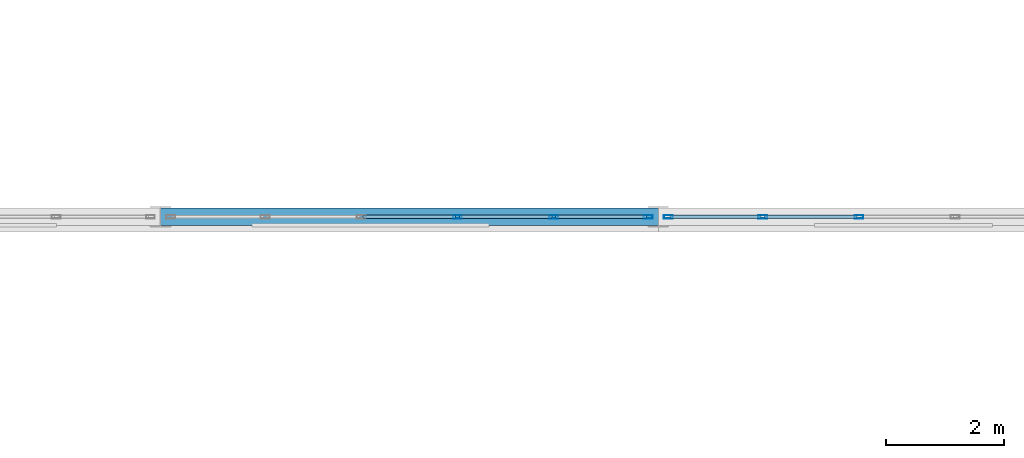
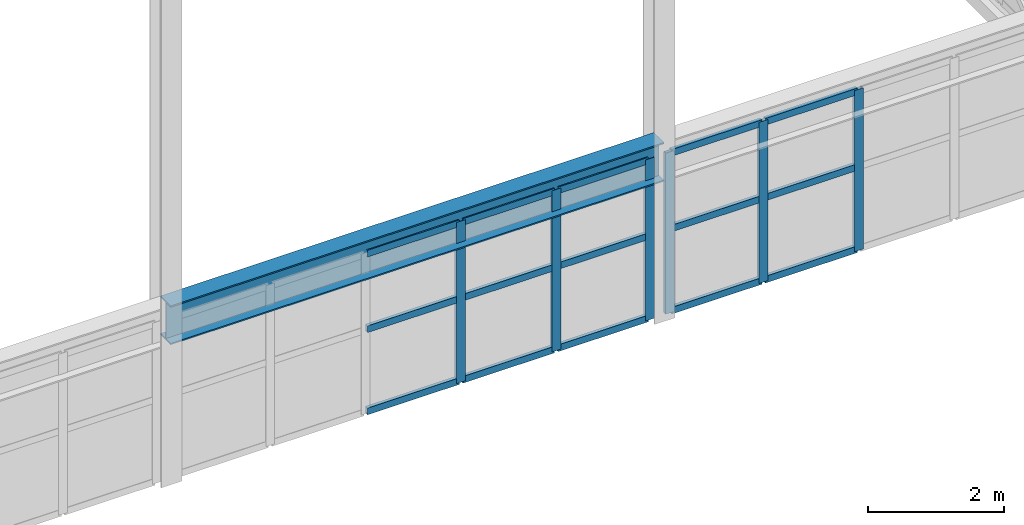
# One storey, part 79 of 218: 21 members, 1 beam, 2 elements without a shape of their own.
"""IFC4 building model written with IfcOpenShell, lengths in metres."""

from ifc_helpers import new_model, si_unit, direction, frame, origin, origin_2d, place, context, subcontext, project, spatial, hollow_rectangle, i_section, extrude, material, material_profile, profile_set, type_object, element, aggregate, save


model = new_model("IFC4")

# Units and contexts
model_context = context("Model", 3, precision=1e-05, world=origin(), true_north=direction((0.0, 1.0)))
body_context = subcontext(model_context, "Body", "Model", "MODEL_VIEW")
ifc_project = project(units=[si_unit("LENGTHUNIT", "METRE"), si_unit("AREAUNIT", "SQUARE_METRE"), si_unit("VOLUMEUNIT", "CUBIC_METRE"), si_unit("PLANEANGLEUNIT", "RADIAN"), si_unit("MASSUNIT", "GRAM", prefix="KILO")], contexts=[model_context])

# Site, building, storey
site_placement = place(None, origin())
site = spatial("IfcSite", under=ifc_project, at=site_placement, CompositionType="ELEMENT")
building_placement = place(site_placement, origin())
building = spatial("IfcBuilding", under=site, at=building_placement, Name="Kazenagashi Tramway Depot", CompositionType="ELEMENT")
storey_placement = place(building_placement, frame((0.0, 0.0, 6.0)))
storey = spatial("IfcBuildingStorey", under=building, at=storey_placement, Name="L02", CompositionType="ELEMENT", Elevation=6.0)

# Beam
ifc_material_1 = material(Name="Steel SN490B", Category="steel")
ifc_material_profile_1 = material_profile(ifc_material_1, i_section(OverallWidth=0.3, OverallDepth=0.7, WebThickness=0.013, FlangeThickness=0.024, at=origin_2d()), Name="H-700x300x13x24")
ifc_profile_set_1 = profile_set([ifc_material_profile_1], Name="Steel SN490B")
beam_type = type_object("IfcBeamType", Name="G-02", PredefinedType="BEAM", material=ifc_profile_set_1)
beam_placement = place(storey_placement, frame((70.0, 54.9, 2.85), z_axis=(1.0, 0.0, 0.0), x_axis=(0.0, 1.0, 0.0)))
element("IfcBeam", 1, at=beam_placement, inside=storey, type_object=beam_type, Name="Beam G-02 BM-1176", PredefinedType="BEAM", context=body_context, shape_type="SweptSolid", body=[
    extrude(i_section(OverallWidth=0.3, OverallDepth=0.7, WebThickness=0.013, FlangeThickness=0.024, at=origin_2d()), origin(), (0.0, 0.0, 1.0), 8.4),
])

# Curtain wall, members
ifc_material_2 = material(Name="Anodised Aluminium and Low-E Glazing", Category="aluminium")
curtain_wall_type = type_object("IfcCurtainWallType", Name="CW-21", PredefinedType="USERDEFINED", material=ifc_material_2)
curtain_wall_1_placement = place(storey_placement, origin())
curtain_wall_1 = element("IfcCurtainWall", 2, at=curtain_wall_1_placement, inside=storey, type_object=curtain_wall_type, Name="Industrial Glazed Screen CW-21 CW-0110", ObjectType="GLAZED SCREEN", PredefinedType="USERDEFINED")
ifc_material_3 = material(Name="Anodised Aluminium", Category="aluminium")
ifc_material_profile_2 = material_profile(ifc_material_3, hollow_rectangle(XDim=0.06, YDim=0.15, WallThickness=0.004, at=origin_2d()), Name="RHS-150x60x4")
ifc_profile_set_2 = profile_set([ifc_material_profile_2], Name="Anodised Aluminium")
member_type_1 = type_object("IfcMemberType", Name="ML-01", PredefinedType="MULLION", material=ifc_profile_set_2)
member_1_placement = place(storey_placement, frame((75.012, 54.9, 0.0), z_axis=(0.0, 0.0, 1.0), x_axis=(0.0, 1.0, 0.0)))
member_1 = element("IfcMember", 3, at=member_1_placement, type_object=member_type_1, Name="CW-21 mullion 4", PredefinedType="MULLION", context=body_context, shape_type="SweptSolid", body=[
    extrude(hollow_rectangle(XDim=0.06, YDim=0.15, WallThickness=0.004, at=origin_2d()), origin(), (0.0, 0.0, 1.0), 2.9),
])
member_2_placement = place(storey_placement, frame((76.636, 54.9, 0.0), z_axis=(0.0, 0.0, 1.0), x_axis=(0.0, 1.0, 0.0)))
member_2 = element("IfcMember", 4, at=member_2_placement, type_object=member_type_1, Name="CW-21 mullion 5", PredefinedType="MULLION", context=body_context, shape_type="SweptSolid", body=[
    extrude(hollow_rectangle(XDim=0.06, YDim=0.15, WallThickness=0.004, at=origin_2d()), origin(), (0.0, 0.0, 1.0), 2.9),
])
member_3_placement = place(storey_placement, frame((78.23, 54.9, 0.0), z_axis=(0.0, 0.0, 1.0), x_axis=(0.0, 1.0, 0.0)))
member_3 = element("IfcMember", 5, at=member_3_placement, type_object=member_type_1, Name="CW-21 mullion 6", PredefinedType="MULLION", context=body_context, shape_type="SweptSolid", body=[
    extrude(hollow_rectangle(XDim=0.06, YDim=0.15, WallThickness=0.004, at=origin_2d()), origin(), (0.0, 0.0, 1.0), 2.9),
])

curtain_wall_2_placement = place(storey_placement, origin())
curtain_wall_2 = element("IfcCurtainWall", 6, at=curtain_wall_2_placement, inside=storey, type_object=curtain_wall_type, Name="Industrial Glazed Screen CW-21 CW-0111", ObjectType="GLAZED SCREEN", PredefinedType="USERDEFINED")
member_4_placement = place(storey_placement, frame((78.57, 54.9, 0.0), z_axis=(0.0, 0.0, 1.0), x_axis=(0.0, 1.0, 0.0)))
member_4 = element("IfcMember", 7, at=member_4_placement, type_object=member_type_1, Name="CW-21 mullion 1", PredefinedType="MULLION", context=body_context, shape_type="SweptSolid", body=[
    extrude(hollow_rectangle(XDim=0.06, YDim=0.15, WallThickness=0.004, at=origin_2d()), origin(), (0.0, 0.0, 1.0), 2.9),
])
member_5_placement = place(storey_placement, frame((80.164, 54.9, 0.0), z_axis=(0.0, 0.0, 1.0), x_axis=(0.0, 1.0, 0.0)))
member_5 = element("IfcMember", 8, at=member_5_placement, type_object=member_type_1, Name="CW-21 mullion 2", PredefinedType="MULLION", context=body_context, shape_type="SweptSolid", body=[
    extrude(hollow_rectangle(XDim=0.06, YDim=0.15, WallThickness=0.004, at=origin_2d()), origin(), (0.0, 0.0, 1.0), 2.9),
])
member_6_placement = place(storey_placement, frame((81.788, 54.9, 0.0), z_axis=(0.0, 0.0, 1.0), x_axis=(0.0, 1.0, 0.0)))
member_6 = element("IfcMember", 9, at=member_6_placement, type_object=member_type_1, Name="CW-21 mullion 3", PredefinedType="MULLION", context=body_context, shape_type="SweptSolid", body=[
    extrude(hollow_rectangle(XDim=0.06, YDim=0.15, WallThickness=0.004, at=origin_2d()), origin(), (0.0, 0.0, 1.0), 2.9),
])

# Member
ifc_material_profile_3 = material_profile(ifc_material_3, hollow_rectangle(XDim=0.06, YDim=0.12, WallThickness=0.004, at=origin_2d()), Name="RHS-120x60x4")
ifc_profile_set_3 = profile_set([ifc_material_profile_3], Name="Anodised Aluminium")
member_type_2 = type_object("IfcMemberType", Name="TR-01", PredefinedType="USERDEFINED", material=ifc_profile_set_3)
member_7_placement = place(storey_placement, frame((73.418, 54.9, 0.03), z_axis=(1.0, 0.0, 0.0), x_axis=(0.0, 1.0, 0.0)))
member_7 = element("IfcMember", 10, at=member_7_placement, type_object=member_type_2, Name="CW-21 transom 3.1", ObjectType="TRANSOM", PredefinedType="USERDEFINED", context=body_context, shape_type="SweptSolid", body=[
    extrude(hollow_rectangle(XDim=0.06, YDim=0.12, WallThickness=0.004, at=origin_2d()), origin(), (0.0, 0.0, 1.0), 1.564),
])

member_8_placement = place(storey_placement, frame((73.418, 54.9, 1.508), z_axis=(1.0, 0.0, 0.0), x_axis=(0.0, 1.0, 0.0)))
member_8 = element("IfcMember", 11, at=member_8_placement, type_object=member_type_2, Name="CW-21 transom 3.2", ObjectType="TRANSOM", PredefinedType="USERDEFINED", context=body_context, shape_type="SweptSolid", body=[
    extrude(hollow_rectangle(XDim=0.06, YDim=0.12, WallThickness=0.004, at=origin_2d()), origin(), (0.0, 0.0, 1.0), 1.564),
])

member_9_placement = place(storey_placement, frame((73.418, 54.9, 2.87), z_axis=(1.0, 0.0, 0.0), x_axis=(0.0, 1.0, 0.0)))
member_9 = element("IfcMember", 12, at=member_9_placement, type_object=member_type_2, Name="CW-21 transom 3.3", ObjectType="TRANSOM", PredefinedType="USERDEFINED", context=body_context, shape_type="SweptSolid", body=[
    extrude(hollow_rectangle(XDim=0.06, YDim=0.12, WallThickness=0.004, at=origin_2d()), origin(), (0.0, 0.0, 1.0), 1.564),
])

member_10_placement = place(storey_placement, frame((75.042, 54.9, 0.03), z_axis=(1.0, 0.0, 0.0), x_axis=(0.0, 1.0, 0.0)))
member_10 = element("IfcMember", 13, at=member_10_placement, type_object=member_type_2, Name="CW-21 transom 4.1", ObjectType="TRANSOM", PredefinedType="USERDEFINED", context=body_context, shape_type="SweptSolid", body=[
    extrude(hollow_rectangle(XDim=0.06, YDim=0.12, WallThickness=0.004, at=origin_2d()), origin(), (0.0, 0.0, 1.0), 1.564),
])

member_11_placement = place(storey_placement, frame((75.042, 54.9, 1.508), z_axis=(1.0, 0.0, 0.0), x_axis=(0.0, 1.0, 0.0)))
member_11 = element("IfcMember", 14, at=member_11_placement, type_object=member_type_2, Name="CW-21 transom 4.2", ObjectType="TRANSOM", PredefinedType="USERDEFINED", context=body_context, shape_type="SweptSolid", body=[
    extrude(hollow_rectangle(XDim=0.06, YDim=0.12, WallThickness=0.004, at=origin_2d()), origin(), (0.0, 0.0, 1.0), 1.564),
])

member_12_placement = place(storey_placement, frame((75.042, 54.9, 2.87), z_axis=(1.0, 0.0, 0.0), x_axis=(0.0, 1.0, 0.0)))
member_12 = element("IfcMember", 15, at=member_12_placement, type_object=member_type_2, Name="CW-21 transom 4.3", ObjectType="TRANSOM", PredefinedType="USERDEFINED", context=body_context, shape_type="SweptSolid", body=[
    extrude(hollow_rectangle(XDim=0.06, YDim=0.12, WallThickness=0.004, at=origin_2d()), origin(), (0.0, 0.0, 1.0), 1.564),
])

member_13_placement = place(storey_placement, frame((76.666, 54.9, 0.03), z_axis=(1.0, 0.0, 0.0), x_axis=(0.0, 1.0, 0.0)))
member_13 = element("IfcMember", 16, at=member_13_placement, type_object=member_type_2, Name="CW-21 transom 5.1", ObjectType="TRANSOM", PredefinedType="USERDEFINED", context=body_context, shape_type="SweptSolid", body=[
    extrude(hollow_rectangle(XDim=0.06, YDim=0.12, WallThickness=0.004, at=origin_2d()), origin(), (0.0, 0.0, 1.0), 1.534),
])

member_14_placement = place(storey_placement, frame((76.666, 54.9, 1.508), z_axis=(1.0, 0.0, 0.0), x_axis=(0.0, 1.0, 0.0)))
member_14 = element("IfcMember", 17, at=member_14_placement, type_object=member_type_2, Name="CW-21 transom 5.2", ObjectType="TRANSOM", PredefinedType="USERDEFINED", context=body_context, shape_type="SweptSolid", body=[
    extrude(hollow_rectangle(XDim=0.06, YDim=0.12, WallThickness=0.004, at=origin_2d()), origin(), (0.0, 0.0, 1.0), 1.534),
])

member_15_placement = place(storey_placement, frame((76.666, 54.9, 2.87), z_axis=(1.0, 0.0, 0.0), x_axis=(0.0, 1.0, 0.0)))
member_15 = element("IfcMember", 18, at=member_15_placement, type_object=member_type_2, Name="CW-21 transom 5.3", ObjectType="TRANSOM", PredefinedType="USERDEFINED", context=body_context, shape_type="SweptSolid", body=[
    extrude(hollow_rectangle(XDim=0.06, YDim=0.12, WallThickness=0.004, at=origin_2d()), origin(), (0.0, 0.0, 1.0), 1.534),
])

aggregate(curtain_wall_1, [member_1, member_2, member_3, member_7, member_8, member_9, member_10, member_11, member_12, member_13, member_14, member_15])

member_16_placement = place(storey_placement, frame((78.6, 54.9, 0.03), z_axis=(1.0, 0.0, 0.0), x_axis=(0.0, 1.0, 0.0)))
member_16 = element("IfcMember", 19, at=member_16_placement, type_object=member_type_2, Name="CW-21 transom 1.1", ObjectType="TRANSOM", PredefinedType="USERDEFINED", context=body_context, shape_type="SweptSolid", body=[
    extrude(hollow_rectangle(XDim=0.06, YDim=0.12, WallThickness=0.004, at=origin_2d()), origin(), (0.0, 0.0, 1.0), 1.534),
])

member_17_placement = place(storey_placement, frame((78.6, 54.9, 1.508), z_axis=(1.0, 0.0, 0.0), x_axis=(0.0, 1.0, 0.0)))
member_17 = element("IfcMember", 20, at=member_17_placement, type_object=member_type_2, Name="CW-21 transom 1.2", ObjectType="TRANSOM", PredefinedType="USERDEFINED", context=body_context, shape_type="SweptSolid", body=[
    extrude(hollow_rectangle(XDim=0.06, YDim=0.12, WallThickness=0.004, at=origin_2d()), origin(), (0.0, 0.0, 1.0), 1.534),
])

member_18_placement = place(storey_placement, frame((78.6, 54.9, 2.87), z_axis=(1.0, 0.0, 0.0), x_axis=(0.0, 1.0, 0.0)))
member_18 = element("IfcMember", 21, at=member_18_placement, type_object=member_type_2, Name="CW-21 transom 1.3", ObjectType="TRANSOM", PredefinedType="USERDEFINED", context=body_context, shape_type="SweptSolid", body=[
    extrude(hollow_rectangle(XDim=0.06, YDim=0.12, WallThickness=0.004, at=origin_2d()), origin(), (0.0, 0.0, 1.0), 1.534),
])

member_19_placement = place(storey_placement, frame((80.194, 54.9, 0.03), z_axis=(1.0, 0.0, 0.0), x_axis=(0.0, 1.0, 0.0)))
member_19 = element("IfcMember", 22, at=member_19_placement, type_object=member_type_2, Name="CW-21 transom 2.1", ObjectType="TRANSOM", PredefinedType="USERDEFINED", context=body_context, shape_type="SweptSolid", body=[
    extrude(hollow_rectangle(XDim=0.06, YDim=0.12, WallThickness=0.004, at=origin_2d()), origin(), (0.0, 0.0, 1.0), 1.564),
])

member_20_placement = place(storey_placement, frame((80.194, 54.9, 1.508), z_axis=(1.0, 0.0, 0.0), x_axis=(0.0, 1.0, 0.0)))
member_20 = element("IfcMember", 23, at=member_20_placement, type_object=member_type_2, Name="CW-21 transom 2.2", ObjectType="TRANSOM", PredefinedType="USERDEFINED", context=body_context, shape_type="SweptSolid", body=[
    extrude(hollow_rectangle(XDim=0.06, YDim=0.12, WallThickness=0.004, at=origin_2d()), origin(), (0.0, 0.0, 1.0), 1.564),
])

member_21_placement = place(storey_placement, frame((80.194, 54.9, 2.87), z_axis=(1.0, 0.0, 0.0), x_axis=(0.0, 1.0, 0.0)))
member_21 = element("IfcMember", 24, at=member_21_placement, type_object=member_type_2, Name="CW-21 transom 2.3", ObjectType="TRANSOM", PredefinedType="USERDEFINED", context=body_context, shape_type="SweptSolid", body=[
    extrude(hollow_rectangle(XDim=0.06, YDim=0.12, WallThickness=0.004, at=origin_2d()), origin(), (0.0, 0.0, 1.0), 1.564),
])

aggregate(curtain_wall_2, [member_4, member_5, member_6, member_16, member_17, member_18, member_19, member_20, member_21])

save(model, "model.ifc")
